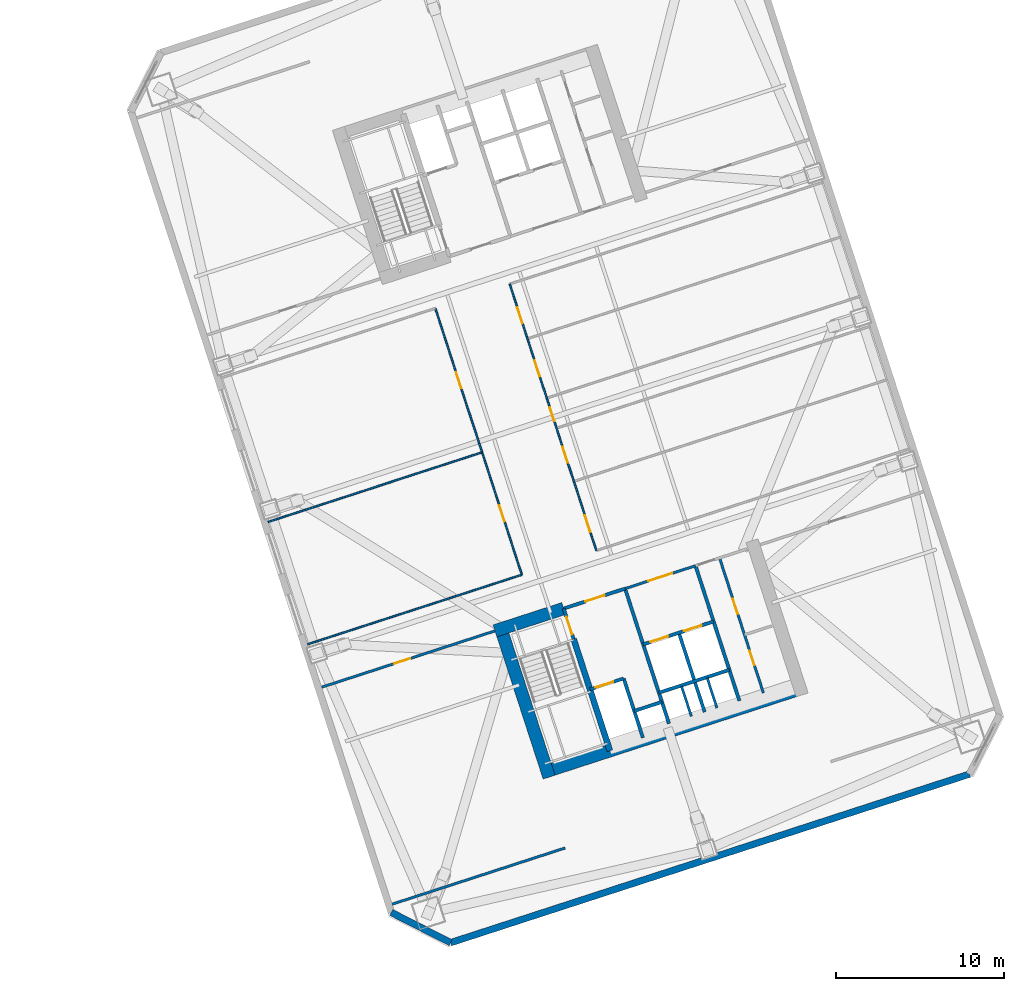
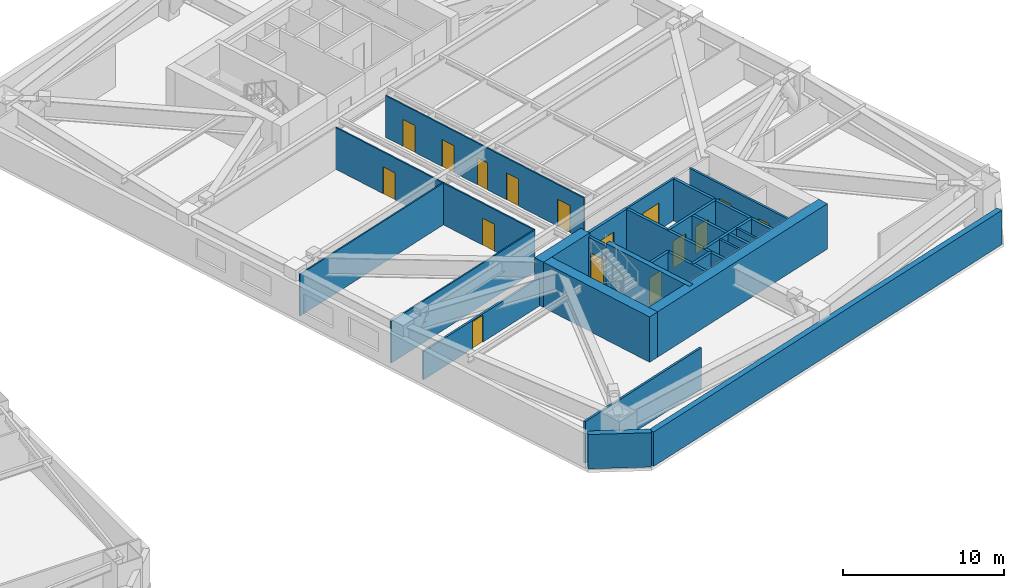
# One storey, part 14 of 18: 26 walls, 16 doors, 16 openings.
"""IFC4 building model written with IfcOpenShell, lengths in metres."""

from ifc_helpers import new_model, si_unit, direction, frame, frame_2d, origin, place, context, subcontext, project, spatial, rectangle, extrude, material, layer, layer_set, type_object, element, fill, save


model = new_model("IFC4")

# Units and contexts
model_context = context("Model", 3, precision=1e-05, world=origin(), true_north=direction((0.0, 1.0)))
body_context = subcontext(model_context, "Body", "Model", "MODEL_VIEW")
ifc_project = project(units=[si_unit("LENGTHUNIT", "METRE"), si_unit("AREAUNIT", "SQUARE_METRE"), si_unit("VOLUMEUNIT", "CUBIC_METRE"), si_unit("PLANEANGLEUNIT", "RADIAN"), si_unit("MASSUNIT", "GRAM", prefix="KILO")], contexts=[model_context])

# Site, building, storey
site_placement = place(None, origin())
site = spatial("IfcSite", under=ifc_project, at=site_placement, CompositionType="ELEMENT")
building_placement = place(site_placement, origin())
building = spatial("IfcBuilding", under=site, at=building_placement, Name="Qiaolan Cultural Towers", CompositionType="ELEMENT")
storey_placement = place(building_placement, frame((0.0, 0.0, 74.75)))
storey = spatial("IfcBuildingStorey", under=building, at=storey_placement, Name="L18", CompositionType="ELEMENT", Elevation=74.75)

# Walls
ifc_material_1 = material(Name="Concrete C50", Category="concrete")
ifc_layer_1 = layer(ifc_material_1, 0.35009765625)
ifc_layer_set_1 = layer_set([ifc_layer_1], Name="Concrete C50")
wall_type_1 = type_object("IfcWallType", Name="WL-CORE-350", PredefinedType="SHEAR", material=ifc_layer_set_1)
wall_1_placement = place(storey_placement, frame((90.486328125, 20.59423828125, 0.0), z_axis=(0.0, 0.0, 1.0), x_axis=(0.309020428229, -0.951055400562, 0.0)))
element("IfcWall", 1, at=wall_1_placement, inside=storey, type_object=wall_type_1, Name="L18 T2-CS Stair Core Dividing Web", PredefinedType="SHEAR", context=body_context, shape_type="SweptSolid", body=[
    extrude(rectangle(XDim=6.97998046875, YDim=0.35009765625, at=frame_2d((3.489990234375, 0.0))), origin(), (0.0, 0.0, 1.0), 3.449951171875),
])
ifc_material_2 = material(Name="Concrete C60", Category="concrete")
ifc_layer_2 = layer(ifc_material_2, 0.75)
ifc_layer_set_2 = layer_set([ifc_layer_2], Name="Concrete C60")
wall_type_2 = type_object("IfcWallType", Name="WL-CORE-750", PredefinedType="SHEAR", material=ifc_layer_set_2)
wall_2_placement = place(storey_placement, frame((88.55859375, 12.628662109375, 0.0), z_axis=(0.0, 0.0, 1.0), x_axis=(0.951056072937, 0.309018358888, 0.0)))
element("IfcWall", 2, at=wall_2_placement, inside=storey, type_object=wall_type_2, Name="L18 T2-CS Outer Core Shear Wall", PredefinedType="SHEAR", context=body_context, shape_type="SweptSolid", body=[
    extrude(rectangle(XDim=16.550048828125, YDim=0.75, at=frame_2d((8.27490234375, 0.0))), origin(), (0.0, 0.0, 1.0), 3.449951171875),
])
wall_3_placement = place(storey_placement, frame((86.05517578125, 21.54638671875, 0.0), z_axis=(0.0, 0.0, 1.0), x_axis=(0.309023585745, -0.951054374604, 0.0)))
element("IfcWall", 3, at=wall_3_placement, inside=storey, type_object=wall_type_2, Name="L18 T2-CS West Core Shear Wall", PredefinedType="SHEAR", context=body_context, shape_type="SweptSolid", body=[
    extrude(rectangle(XDim=9.6298828125, YDim=0.75, at=frame_2d((4.81494140625, 0.0))), origin(), (0.0, 0.0, 1.0), 3.449951171875),
])
wall_4_placement = place(storey_placement, frame((85.814453125, 21.073974609375, 0.0), z_axis=(0.0, 0.0, 1.0), x_axis=(0.95106580992, 0.308988390074, 0.0)))
element("IfcWall", 4, at=wall_4_placement, inside=storey, type_object=wall_type_2, Name="L18 T2-CS Stair Front Shear Wall", PredefinedType="SHEAR", context=body_context, shape_type="SweptSolid", body=[
    extrude(rectangle(XDim=4.295166015625, YDim=0.75, at=frame_2d((2.1474609375, 0.0))), origin(), (0.0, 0.0, 1.0), 3.449951171875),
])
ifc_material_3 = material(Name="Precast Concrete C50 Honed Stone Pier", Category="masonry")
ifc_layer_3 = layer(ifc_material_3, 0.39990234375)
ifc_layer_set_3 = layer_set([ifc_layer_3], Name="Precast Concrete C50 Honed Stone Pier")
wall_type_3 = type_object("IfcWallType", Name="WL-EXT-PIER-400", PredefinedType="SOLIDWALL", material=ifc_layer_set_3)
wall_5_placement = place(storey_placement, frame((113.997802734375, 12.566650390625, 0.0), z_axis=(0.0, 0.0, 1.0), x_axis=(-0.951055939317, -0.309018770125, 0.0)))
element("IfcWall", 5, at=wall_5_placement, inside=storey, type_object=wall_type_3, Name="L18 East Tower Precast Pier Facade Wall F7", PredefinedType="SOLIDWALL", context=body_context, shape_type="SweptSolid", body=[
    extrude(rectangle(XDim=32.39990234375, YDim=0.39990234375, at=frame_2d((16.199951171875, 0.0))), origin(), (0.0, 0.0, 1.0), 2.610107421875),
])
wall_6_placement = place(storey_placement, frame((83.18359375, 2.554443359375, 0.0), z_axis=(0.0, 0.0, 1.0), x_axis=(-0.890998089617, 0.454007053137, 0.0)))
element("IfcWall", 6, at=wall_6_placement, inside=storey, type_object=wall_type_3, Name="L18 East Tower Precast Pier Facade Wall F8", PredefinedType="SOLIDWALL", context=body_context, shape_type="SweptSolid", body=[
    extrude(rectangle(XDim=3.9599609375, YDim=0.39990234375, at=frame_2d((1.97998046875, 0.0))), origin(), (0.0, 0.0, 1.0), 2.610107421875),
])

# Wall, opening, door
ifc_material_4 = material(Name="Concrete C35 Fire Wall", Category="concrete")
ifc_layer_4 = layer(ifc_material_4, 0.199951171875)
ifc_layer_set_4 = layer_set([ifc_layer_4], Name="Concrete C35 Fire Wall")
wall_type_4 = type_object("IfcWallType", Name="WL-FIRE-200", PredefinedType="PARTITIONING", material=ifc_layer_set_4)
wall_7_placement = place(storey_placement, frame((89.8994140625, 22.401123046875, 0.0), z_axis=(0.0, 0.0, 1.0), x_axis=(0.308932062672, -0.951084108086, 0.0)))
wall_7 = element("IfcWall", 7, at=wall_7_placement, inside=storey, type_object=wall_type_4, Name="L18 T2-CS Smokeproof Stair Entry Wall", PredefinedType="PARTITIONING", context=body_context, shape_type="SweptSolid", body=[
    extrude(rectangle(XDim=1.89990234375, YDim=0.199951171875, at=frame_2d((0.949951171875, 0.0))), origin(), (0.0, 0.0, 1.0), 3.175048828125),
])
opening_1_placement = place(wall_7_placement, frame((0.52001953125, 0.0, 0.0)))
opening_1 = element("IfcOpeningElement", 8, at=opening_1_placement, cuts=wall_7, Name="Opening FD-04", PredefinedType="OPENING", context=body_context, shape_type="SweptSolid", body=[
    extrude(rectangle(XDim=1.10009765625, YDim=2.050048828125, at=frame_2d((0.550048828125, 1.02490234375))), frame((0.0, 0.10986328125, 0.0), z_axis=(0.0, -1.0, 0.0), x_axis=(1.0, 0.0, 0.0)), (0.0, 0.0, 1.0), 0.219970703125),
])
ifc_material_5 = material(Name="Galvanized Steel Command Fire Door", Category="steel")
door_type_1 = type_object("IfcDoorType", Name="DR-FD90-1100", OperationType="NOTDEFINED", PredefinedType="DOOR", material=ifc_material_5)
door_1_placement = place(opening_1_placement, origin())
door_1 = element("IfcDoor", 9, at=door_1_placement, inside=storey, type_object=door_type_1, Name="L18 ST-E1 Smokeproof Stair Fire Door", OperationType="SINGLE_SWING_LEFT", OverallHeight=2.050048828125, OverallWidth=1.10009765625, PredefinedType="DOOR", context=body_context, shape_type="SweptSolid", body=[
    extrude(rectangle(XDim=1.10009765625, YDim=2.050048828125, at=frame_2d((0.550048828125, 1.02490234375))), frame((0.0, 0.02490234375, 0.0), z_axis=(0.0, -1.0, 0.0), x_axis=(1.0, 0.0, 0.0)), (0.0, 0.0, 1.0), 0.050048828125),
])
fill(opening_1, door_1)

# Wall
wall_8_placement = place(storey_placement, frame((93.541748046875, 23.584716796875, 0.0), z_axis=(0.0, 0.0, 1.0), x_axis=(0.309042196757, -0.951048327176, 0.0)))
element("IfcWall", 10, at=wall_8_placement, inside=storey, type_object=wall_type_4, Name="L18 T2-CS Firefighting Zone Wall", PredefinedType="PARTITIONING", context=body_context, shape_type="SweptSolid", body=[
    extrude(rectangle(XDim=8.429931640625, YDim=0.199951171875, at=frame_2d((4.21484375, 0.0))), origin(), (0.0, 0.0, 1.0), 3.175048828125),
])

# Wall, opening, door
wall_9_placement = place(storey_placement, frame((89.8994140625, 22.401123046875, 0.0), z_axis=(0.0, 0.0, 1.0), x_axis=(0.951046716504, 0.309047153403, 0.0)))
wall_9 = element("IfcWall", 11, at=wall_9_placement, inside=storey, type_object=wall_type_4, Name="L18 T2-CS Firefighting Lobby Front Wall", PredefinedType="PARTITIONING", context=body_context, shape_type="SweptSolid", body=[
    extrude(rectangle(XDim=3.829833984375, YDim=0.199951171875, at=frame_2d((1.9150390625, 0.0))), origin(), (0.0, 0.0, 1.0), 3.175048828125),
])
opening_2_placement = place(wall_9_placement, frame((1.35009765625, 0.0, 0.0)))
opening_2 = element("IfcOpeningElement", 12, at=opening_2_placement, cuts=wall_9, Name="Opening FD-03", PredefinedType="OPENING", context=body_context, shape_type="SweptSolid", body=[
    extrude(rectangle(XDim=1.199951171875, YDim=2.050048828125, at=frame_2d((0.60009765625, 1.02490234375))), frame((0.0, 0.10986328125, 0.0), z_axis=(0.0, -1.0, 0.0), x_axis=(1.0, 0.0, 0.0)), (0.0, 0.0, 1.0), 0.219970703125),
])
ifc_material_6 = material(Name="Galvanized Steel Smokeproof Lobby Fire Door", Category="steel")
door_type_2 = type_object("IfcDoorType", Name="DR-FD90-1200", OperationType="NOTDEFINED", PredefinedType="DOOR", material=ifc_material_6)
door_2_placement = place(opening_2_placement, origin())
door_2 = element("IfcDoor", 13, at=door_2_placement, inside=storey, type_object=door_type_2, Name="L18 FFL-E1 Firefighting Lobby Fire Door", OperationType="SINGLE_SWING_LEFT", OverallHeight=2.050048828125, OverallWidth=1.199951171875, PredefinedType="DOOR", context=body_context, shape_type="SweptSolid", body=[
    extrude(rectangle(XDim=1.199951171875, YDim=2.050048828125, at=frame_2d((0.60009765625, 1.02490234375))), frame((0.0, 0.02490234375, 0.0), z_axis=(0.0, -1.0, 0.0), x_axis=(1.0, 0.0, 0.0)), (0.0, 0.0, 1.0), 0.050048828125),
])
fill(opening_2, door_2)

wall_10_placement = place(storey_placement, frame((91.459716796875, 17.598388671875, 0.0), z_axis=(0.0, 0.0, 1.0), x_axis=(0.951062257173, 0.308999325213, 0.0)))
wall_10 = element("IfcWall", 14, at=wall_10_placement, inside=storey, type_object=wall_type_4, Name="L18 T2-CS Firefighting Shaft Front Wall", PredefinedType="PARTITIONING", context=body_context, shape_type="SweptSolid", body=[
    extrude(rectangle(XDim=2.10009765625, YDim=0.199951171875, at=frame_2d((1.050048828125, 0.0))), origin(), (0.0, 0.0, 1.0), 3.175048828125),
])
opening_3_placement = place(wall_10_placement, frame((0.35009765625, 0.0, 0.0)))
opening_3 = element("IfcOpeningElement", 15, at=opening_3_placement, cuts=wall_10, Name="Opening LD-01", PredefinedType="OPENING", context=body_context, shape_type="SweptSolid", body=[
    extrude(rectangle(XDim=1.10009765625, YDim=2.050048828125, at=frame_2d((0.550048828125, 1.02490234375))), frame((0.0, 0.10986328125, 0.0), z_axis=(0.0, -1.0, 0.0), x_axis=(1.0, 0.0, 0.0)), (0.0, 0.0, 1.0), 0.219970703125),
])
ifc_material_7 = material(Name="Brushed Stainless Steel S30408 Centre-Parting Lift Landing Door", Category="steel")
door_type_3 = type_object("IfcDoorType", Name="DR-LIFT-1100", OperationType="NOTDEFINED", PredefinedType="DOOR", material=ifc_material_7)
door_3_placement = place(opening_3_placement, origin())
door_3 = element("IfcDoor", 16, at=door_3_placement, inside=storey, type_object=door_type_3, Name="L18 FFL-E1 Firefighting Lift Landing Door", OperationType="DOUBLE_DOOR_SLIDING", OverallHeight=2.050048828125, OverallWidth=1.10009765625, PredefinedType="DOOR", context=body_context, shape_type="SweptSolid", body=[
    extrude(rectangle(XDim=1.10009765625, YDim=2.050048828125, at=frame_2d((0.550048828125, 1.02490234375))), frame((0.0, 0.02490234375, 0.0), z_axis=(0.0, -1.0, 0.0), x_axis=(1.0, 0.0, 0.0)), (0.0, 0.0, 1.0), 0.050048828125),
])
fill(opening_3, door_3)

# Walls
wall_11_placement = place(storey_placement, frame((93.45703125, 18.247314453125, 0.0), z_axis=(0.0, 0.0, 1.0), x_axis=(0.3089935693, -0.951064127245, 0.0)))
element("IfcWall", 17, at=wall_11_placement, inside=storey, type_object=wall_type_4, Name="L18 T2-CS Firefighting Hoistway East Wall", PredefinedType="PARTITIONING", context=body_context, shape_type="SweptSolid", body=[
    extrude(rectangle(XDim=3.7001953125, YDim=0.199951171875, at=frame_2d((1.85009765625, 0.0))), origin(), (0.0, 0.0, 1.0), 3.175048828125),
])
wall_12_placement = place(storey_placement, frame((94.08447265625, 16.316650390625, 0.0), z_axis=(0.0, 0.0, 1.0), x_axis=(0.951041328149, 0.309063734775, 0.0)))
element("IfcWall", 18, at=wall_12_placement, inside=storey, type_object=wall_type_4, Name="L18 T2-CS Pressurization Shaft Front Wall", PredefinedType="PARTITIONING", context=body_context, shape_type="SweptSolid", body=[
    extrude(rectangle(XDim=1.72998046875, YDim=0.199951171875, at=frame_2d((0.864990234375, 0.0))), origin(), (0.0, 0.0, 1.0), 3.175048828125),
])
wall_13_placement = place(storey_placement, frame((97.7265625, 24.9443359375, 0.0), z_axis=(0.0, 0.0, 1.0), x_axis=(0.309016001439, -0.951056838919, 0.0)))
element("IfcWall", 19, at=wall_13_placement, inside=storey, type_object=wall_type_4, Name="L18 T2-CS Lift Core East Wall", PredefinedType="PARTITIONING", context=body_context, shape_type="SweptSolid", body=[
    extrude(rectangle(XDim=8.429931640625, YDim=0.199951171875, at=frame_2d((4.21484375, 0.0))), origin(), (0.0, 0.0, 1.0), 3.175048828125),
])

# Wall, openings, doors
wall_14_placement = place(storey_placement, frame((94.6171875, 20.275146484375, 0.0), z_axis=(0.0, 0.0, 1.0), x_axis=(0.951058531764, 0.30901079133, 0.0)))
wall_14 = element("IfcWall", 20, at=wall_14_placement, inside=storey, type_object=wall_type_4, Name="L18 T2-CS Passenger Lift Shaft Front Wall", PredefinedType="PARTITIONING", context=body_context, shape_type="SweptSolid", body=[
    extrude(rectangle(XDim=4.39990234375, YDim=0.199951171875, at=frame_2d((2.199951171875, 0.0))), origin(), (0.0, 0.0, 1.0), 3.175048828125),
])
opening_4_placement = place(wall_14_placement, frame((0.449951171875, 0.0, 0.0)))
opening_4 = element("IfcOpeningElement", 21, at=opening_4_placement, cuts=wall_14, Name="Opening LD-01", PredefinedType="OPENING", context=body_context, shape_type="SweptSolid", body=[
    extrude(rectangle(XDim=1.10009765625, YDim=2.050048828125, at=frame_2d((0.550048828125, 1.02490234375))), frame((0.0, 0.10986328125, 0.0), z_axis=(0.0, -1.0, 0.0), x_axis=(1.0, 0.0, 0.0)), (0.0, 0.0, 1.0), 0.219970703125),
])
opening_5_placement = place(wall_14_placement, frame((2.550048828125, 0.0, 0.0)))
opening_5 = element("IfcOpeningElement", 22, at=opening_5_placement, cuts=wall_14, Name="Opening LD-01", PredefinedType="OPENING", context=body_context, shape_type="SweptSolid", body=[
    extrude(rectangle(XDim=1.10009765625, YDim=2.050048828125, at=frame_2d((0.550048828125, 1.02490234375))), frame((0.0, 0.10986328125, 0.0), z_axis=(0.0, -1.0, 0.0), x_axis=(1.0, 0.0, 0.0)), (0.0, 0.0, 1.0), 0.219970703125),
])
door_4_placement = place(opening_4_placement, origin())
door_4 = element("IfcDoor", 23, at=door_4_placement, inside=storey, type_object=door_type_3, Name="L18 Passenger Lift 1 Landing Door", OperationType="DOUBLE_DOOR_SLIDING", OverallHeight=2.050048828125, OverallWidth=1.10009765625, PredefinedType="DOOR", context=body_context, shape_type="SweptSolid", body=[
    extrude(rectangle(XDim=1.10009765625, YDim=2.050048828125, at=frame_2d((0.550048828125, 1.02490234375))), frame((0.0, 0.02490234375, 0.0), z_axis=(0.0, -1.0, 0.0), x_axis=(1.0, 0.0, 0.0)), (0.0, 0.0, 1.0), 0.050048828125),
])
fill(opening_4, door_4)
door_5_placement = place(opening_5_placement, origin())
door_5 = element("IfcDoor", 24, at=door_5_placement, inside=storey, type_object=door_type_3, Name="L18 Passenger Lift 2 Landing Door", OperationType="DOUBLE_DOOR_SLIDING", OverallHeight=2.050048828125, OverallWidth=1.10009765625, PredefinedType="DOOR", context=body_context, shape_type="SweptSolid", body=[
    extrude(rectangle(XDim=1.10009765625, YDim=2.050048828125, at=frame_2d((0.550048828125, 1.02490234375))), frame((0.0, 0.02490234375, 0.0), z_axis=(0.0, -1.0, 0.0), x_axis=(1.0, 0.0, 0.0)), (0.0, 0.0, 1.0), 0.050048828125),
])
fill(opening_5, door_5)

# Walls
wall_15_placement = place(storey_placement, frame((96.738037109375, 20.964111328125, 0.0), z_axis=(0.0, 0.0, 1.0), x_axis=(0.309042578481, -0.951048203135, 0.0)))
element("IfcWall", 25, at=wall_15_placement, inside=storey, type_object=wall_type_4, Name="L18 T2-CS Lift Shaft Divider Wall", PredefinedType="PARTITIONING", context=body_context, shape_type="SweptSolid", body=[
    extrude(rectangle(XDim=4.9501953125, YDim=0.199951171875, at=frame_2d((2.47509765625, 0.0))), origin(), (0.0, 0.0, 1.0), 3.175048828125),
])
wall_16_placement = place(storey_placement, frame((95.550537109375, 17.40283203125, 0.0), z_axis=(0.0, 0.0, 1.0), x_axis=(0.951058531764, 0.30901079133, 0.0)))
element("IfcWall", 26, at=wall_16_placement, inside=storey, type_object=wall_type_4, Name="L18 T2-CS Passenger Lift Shaft Back Wall", PredefinedType="PARTITIONING", context=body_context, shape_type="SweptSolid", body=[
    extrude(rectangle(XDim=4.39990234375, YDim=0.199951171875, at=frame_2d((2.199951171875, 0.0))), origin(), (0.0, 0.0, 1.0), 3.175048828125),
])
ifc_material_8 = material(Name="Acoustic Double-Glazed Partition Frame", Category="glass")
ifc_layer_5 = layer(ifc_material_8, 0.10009765625)
ifc_layer_set_5 = layer_set([ifc_layer_5], Name="Acoustic Double-Glazed Partition Frame")
wall_type_5 = type_object("IfcWallType", Name="WL-GLAZED-100", PredefinedType="MOVABLE", material=ifc_layer_set_5)
wall_17_placement = place(storey_placement, frame((74.691162109375, 20.277587890625, 0.0), z_axis=(0.0, 0.0, 1.0), x_axis=(0.951052712421, 0.309028701251, 0.0)))
element("IfcWall", 27, at=wall_17_placement, inside=storey, type_object=wall_type_5, Name="L18 T2 South Corridor Left Wall", PredefinedType="MOVABLE", context=body_context, shape_type="SweptSolid", body=[
    extrude(rectangle(XDim=13.375244140625, YDim=0.10009765625, at=frame_2d((6.6875, 0.0))), origin(), (0.0, 0.0, 1.0), 3.175048828125),
])

# Wall, openings, doors
wall_18_placement = place(storey_placement, frame((87.41162109375, 24.410888671875, 0.0), z_axis=(0.0, 0.0, 1.0), x_axis=(-0.309022042254, 0.951054876125, 0.0)))
wall_18 = element("IfcWall", 28, at=wall_18_placement, inside=storey, type_object=wall_type_5, Name="L18 T2 West Spine Wall", PredefinedType="MOVABLE", context=body_context, shape_type="SweptSolid", body=[
    extrude(rectangle(XDim=16.639892578125, YDim=0.10009765625, at=frame_2d((8.31982421875, 0.0))), origin(), (0.0, 0.0, 1.0), 3.175048828125),
])
opening_6_placement = place(wall_18_placement, frame((3.320068359375, 0.0, 0.0)))
opening_6 = element("IfcOpeningElement", 29, at=opening_6_placement, cuts=wall_18, Name="Opening ID-04", PredefinedType="OPENING", context=body_context, shape_type="SweptSolid", body=[
    extrude(rectangle(XDim=1.0, YDim=2.050048828125, at=frame_2d((0.5, 1.02490234375))), frame((0.0, 0.06005859375, 0.0), z_axis=(0.0, -1.0, 0.0), x_axis=(1.0, 0.0, 0.0)), (0.0, 0.0, 1.0), 0.1201171875),
])
opening_7_placement = place(wall_18_placement, frame((11.639892578125, 0.0, 0.0)))
opening_7 = element("IfcOpeningElement", 30, at=opening_7_placement, cuts=wall_18, Name="Opening ID-04", PredefinedType="OPENING", context=body_context, shape_type="SweptSolid", body=[
    extrude(rectangle(XDim=1.0, YDim=2.050048828125, at=frame_2d((0.5, 1.02490234375))), frame((0.0, 0.06005859375, 0.0), z_axis=(0.0, -1.0, 0.0), x_axis=(1.0, 0.0, 0.0)), (0.0, 0.0, 1.0), 0.1201171875),
])
ifc_material_9 = material(Name="Oak Veneer Acoustic Office Door", Category="timber")
door_type_4 = type_object("IfcDoorType", Name="DR-INT-1000", OperationType="NOTDEFINED", PredefinedType="DOOR", material=ifc_material_9)
door_6_placement = place(opening_6_placement, origin())
door_6 = element("IfcDoor", 31, at=door_6_placement, inside=storey, type_object=door_type_4, Name="L18 T2 Open Design Atelier Door", OperationType="SINGLE_SWING_LEFT", OverallHeight=2.050048828125, OverallWidth=1.0, PredefinedType="DOOR", context=body_context, shape_type="SweptSolid", body=[
    extrude(rectangle(XDim=1.0, YDim=2.050048828125, at=frame_2d((0.5, 1.02490234375))), frame((0.0, 0.02490234375, 0.0), z_axis=(0.0, -1.0, 0.0), x_axis=(1.0, 0.0, 0.0)), (0.0, 0.0, 1.0), 0.050048828125),
])
fill(opening_6, door_6)
door_7_placement = place(opening_7_placement, origin())
door_7 = element("IfcDoor", 32, at=door_7_placement, inside=storey, type_object=door_type_4, Name="L18 T2 Cultural Media Hall Door", OperationType="SINGLE_SWING_RIGHT", OverallHeight=2.050048828125, OverallWidth=1.0, PredefinedType="DOOR", context=body_context, shape_type="SweptSolid", body=[
    extrude(rectangle(XDim=1.0, YDim=2.050048828125, at=frame_2d((0.5, 1.02490234375))), frame((0.0, 0.02490234375, 0.0), z_axis=(0.0, -1.0, 0.0), x_axis=(1.0, 0.0, 0.0)), (0.0, 0.0, 1.0), 0.050048828125),
])
fill(opening_7, door_7)

wall_19_placement = place(storey_placement, frame((91.833984375, 25.84765625, 0.0), z_axis=(0.0, 0.0, 1.0), x_axis=(-0.30901773025, 0.951056277195, 0.0)))
wall_19 = element("IfcWall", 33, at=wall_19_placement, inside=storey, type_object=wall_type_5, Name="L18 T2 East Spine Wall", PredefinedType="MOVABLE", context=body_context, shape_type="SweptSolid", body=[
    extrude(rectangle(XDim=16.64013671875, YDim=0.10009765625, at=frame_2d((8.320068359375, 0.0))), origin(), (0.0, 0.0, 1.0), 3.175048828125),
])
opening_8_placement = place(wall_19_placement, frame((1.159912109375, 0.0, 0.0)))
opening_8 = element("IfcOpeningElement", 34, at=opening_8_placement, cuts=wall_19, Name="Opening ID-07", PredefinedType="OPENING", context=body_context, shape_type="SweptSolid", body=[
    extrude(rectangle(XDim=1.050048828125, YDim=2.050048828125, at=frame_2d((0.52490234375, 1.02490234375))), frame((0.0, 0.06005859375, 0.0), z_axis=(0.0, -1.0, 0.0), x_axis=(1.0, 0.0, 0.0)), (0.0, 0.0, 1.0), 0.1201171875),
])
opening_9_placement = place(wall_19_placement, frame((5.47998046875, 0.0, 0.0)))
opening_9 = element("IfcOpeningElement", 35, at=opening_9_placement, cuts=wall_19, Name="Opening ID-04", PredefinedType="OPENING", context=body_context, shape_type="SweptSolid", body=[
    extrude(rectangle(XDim=1.0, YDim=2.050048828125, at=frame_2d((0.5, 1.02490234375))), frame((0.0, 0.06005859375, 0.0), z_axis=(0.0, -1.0, 0.0), x_axis=(1.0, 0.0, 0.0)), (0.0, 0.0, 1.0), 0.1201171875),
])
opening_10_placement = place(wall_19_placement, frame((8.080078125, 0.0, 0.0)))
opening_10 = element("IfcOpeningElement", 36, at=opening_10_placement, cuts=wall_19, Name="Opening ID-09", PredefinedType="OPENING", context=body_context, shape_type="SweptSolid", body=[
    extrude(rectangle(XDim=0.85009765625, YDim=2.050048828125, at=frame_2d((0.425048828125, 1.02490234375))), frame((0.0, 0.06005859375, 0.0), z_axis=(0.0, -1.0, 0.0), x_axis=(1.0, 0.0, 0.0)), (0.0, 0.0, 1.0), 0.1201171875),
])
opening_11_placement = place(wall_19_placement, frame((10.874267578125, 0.0, 0.0)))
opening_11 = element("IfcOpeningElement", 37, at=opening_11_placement, cuts=wall_19, Name="Opening ID-04", PredefinedType="OPENING", context=body_context, shape_type="SweptSolid", body=[
    extrude(rectangle(XDim=1.0, YDim=2.050048828125, at=frame_2d((0.5, 1.02490234375))), frame((0.0, 0.06005859375, 0.0), z_axis=(0.0, -1.0, 0.0), x_axis=(1.0, 0.0, 0.0)), (0.0, 0.0, 1.0), 0.1201171875),
])
opening_12_placement = place(wall_19_placement, frame((14.17431640625, 0.0, 0.0)))
opening_12 = element("IfcOpeningElement", 38, at=opening_12_placement, cuts=wall_19, Name="Opening ID-04", PredefinedType="OPENING", context=body_context, shape_type="SweptSolid", body=[
    extrude(rectangle(XDim=1.0, YDim=2.050048828125, at=frame_2d((0.5, 1.02490234375))), frame((0.0, 0.06005859375, 0.0), z_axis=(0.0, -1.0, 0.0), x_axis=(1.0, 0.0, 0.0)), (0.0, 0.0, 1.0), 0.1201171875),
])
door_8_placement = place(opening_9_placement, origin())
door_8 = element("IfcDoor", 39, at=door_8_placement, inside=storey, type_object=door_type_4, Name="L18 T2 Boutique Art Shop Door", OperationType="SINGLE_SWING_RIGHT", OverallHeight=2.050048828125, OverallWidth=1.0, PredefinedType="DOOR", context=body_context, shape_type="SweptSolid", body=[
    extrude(rectangle(XDim=1.0, YDim=2.050048828125, at=frame_2d((0.5, 1.02490234375))), frame((0.0, 0.02490234375, 0.0), z_axis=(0.0, -1.0, 0.0), x_axis=(1.0, 0.0, 0.0)), (0.0, 0.0, 1.0), 0.050048828125),
])
fill(opening_9, door_8)
door_9_placement = place(opening_11_placement, origin())
door_9 = element("IfcDoor", 40, at=door_9_placement, inside=storey, type_object=door_type_4, Name="L18 T2 Conference Room Door", OperationType="SINGLE_SWING_RIGHT", OverallHeight=2.050048828125, OverallWidth=1.0, PredefinedType="DOOR", context=body_context, shape_type="SweptSolid", body=[
    extrude(rectangle(XDim=1.0, YDim=2.050048828125, at=frame_2d((0.5, 1.02490234375))), frame((0.0, 0.02490234375, 0.0), z_axis=(0.0, -1.0, 0.0), x_axis=(1.0, 0.0, 0.0)), (0.0, 0.0, 1.0), 0.050048828125),
])
fill(opening_11, door_9)
door_10_placement = place(opening_12_placement, origin())
door_10 = element("IfcDoor", 41, at=door_10_placement, inside=storey, type_object=door_type_4, Name="L18 T2 Club Lounge Door", OperationType="SINGLE_SWING_LEFT", OverallHeight=2.050048828125, OverallWidth=1.0, PredefinedType="DOOR", context=body_context, shape_type="SweptSolid", body=[
    extrude(rectangle(XDim=1.0, YDim=2.050048828125, at=frame_2d((0.5, 1.02490234375))), frame((0.0, 0.02490234375, 0.0), z_axis=(0.0, -1.0, 0.0), x_axis=(1.0, 0.0, 0.0)), (0.0, 0.0, 1.0), 0.050048828125),
])
fill(opening_12, door_10)
ifc_material_10 = material(Name="Oak Veneer Consultation Door", Category="timber")
door_type_5 = type_object("IfcDoorType", Name="DR-INT-1050", OperationType="NOTDEFINED", PredefinedType="DOOR", material=ifc_material_10)
door_11_placement = place(opening_8_placement, origin())
door_11 = element("IfcDoor", 42, at=door_11_placement, inside=storey, type_object=door_type_5, Name="L18 T2 Boutique Art Shop Door", OperationType="SINGLE_SWING_RIGHT", OverallHeight=2.050048828125, OverallWidth=1.050048828125, PredefinedType="DOOR", context=body_context, shape_type="SweptSolid", body=[
    extrude(rectangle(XDim=1.050048828125, YDim=2.050048828125, at=frame_2d((0.52490234375, 1.02490234375))), frame((0.0, 0.02490234375, 0.0), z_axis=(0.0, -1.0, 0.0), x_axis=(1.0, 0.0, 0.0)), (0.0, 0.0, 1.0), 0.050048828125),
])
fill(opening_8, door_11)
ifc_material_11 = material(Name="Moisture-Resistant Laminate Utility Door", Category="timber")
door_type_6 = type_object("IfcDoorType", Name="DR-INT-850", OperationType="NOTDEFINED", PredefinedType="DOOR", material=ifc_material_11)
door_12_placement = place(opening_10_placement, origin())
door_12 = element("IfcDoor", 43, at=door_12_placement, inside=storey, type_object=door_type_6, Name="L18 T2 Wellness Care Room Door", OperationType="SINGLE_SWING_LEFT", OverallHeight=2.050048828125, OverallWidth=0.85009765625, PredefinedType="DOOR", context=body_context, shape_type="SweptSolid", body=[
    extrude(rectangle(XDim=0.85009765625, YDim=2.050048828125, at=frame_2d((0.425048828125, 1.02490234375))), frame((0.0, 0.02490234375, 0.0), z_axis=(0.0, -1.0, 0.0), x_axis=(1.0, 0.0, 0.0)), (0.0, 0.0, 1.0), 0.050048828125),
])
fill(opening_10, door_12)

# Wall
wall_20_placement = place(storey_placement, frame((72.330322265625, 27.543701171875, 0.0), z_axis=(0.0, 0.0, 1.0), x_axis=(0.951056333968, 0.309017555521, 0.0)))
element("IfcWall", 44, at=wall_20_placement, inside=storey, type_object=wall_type_5, Name="L18 T2 West Partition 1", PredefinedType="MOVABLE", context=body_context, shape_type="SweptSolid", body=[
    extrude(rectangle(XDim=13.374755859375, YDim=0.10009765625, at=frame_2d((6.6875, 0.0))), origin(), (0.0, 0.0, 1.0), 3.175048828125),
])

# Wall, opening, door
ifc_material_12 = material(Name="Autoclaved Aerated Concrete Block B06", Category="concrete")
ifc_layer_6 = layer(ifc_material_12, 0.14990234375)
ifc_layer_set_6 = layer_set([ifc_layer_6], Name="Autoclaved Aerated Concrete Block B06")
wall_type_6 = type_object("IfcWallType", Name="WL-PART-150", PredefinedType="PARTITIONING", material=ifc_layer_set_6)
wall_21_placement = place(storey_placement, frame((93.541748046875, 23.584716796875, 0.0), z_axis=(0.0, 0.0, 1.0), x_axis=(0.951063829732, 0.308994485023, 0.0)))
wall_21 = element("IfcWall", 45, at=wall_21_placement, inside=storey, type_object=wall_type_6, Name="L18 T2-CS Passenger Lift Lobby Front Wall", PredefinedType="PARTITIONING", context=body_context, shape_type="SweptSolid", body=[
    extrude(rectangle(XDim=4.400146484375, YDim=0.14990234375, at=frame_2d((2.2001953125, 0.0))), origin(), (0.0, 0.0, 1.0), 3.175048828125),
])
opening_13_placement = place(wall_21_placement, frame((1.449951171875, 0.0, 0.0)))
opening_13 = element("IfcOpeningElement", 46, at=opening_13_placement, cuts=wall_21, Name="Opening FD-05", PredefinedType="OPENING", context=body_context, shape_type="SweptSolid", body=[
    extrude(rectangle(XDim=1.5, YDim=2.050048828125, at=frame_2d((0.75, 1.02490234375))), frame((0.0, 0.0849609375, 0.0), z_axis=(0.0, -1.0, 0.0), x_axis=(1.0, 0.0, 0.0)), (0.0, 0.0, 1.0), 0.169921875),
])
ifc_material_13 = material(Name="Painted Steel Lift Lobby Fire Door", Category="steel")
door_type_7 = type_object("IfcDoorType", Name="DR-FD60-1500", OperationType="NOTDEFINED", PredefinedType="DOOR", material=ifc_material_13)
door_13_placement = place(opening_13_placement, origin())
door_13 = element("IfcDoor", 47, at=door_13_placement, inside=storey, type_object=door_type_7, Name="L18 Passenger Lift Lobby Entrance", OperationType="SINGLE_SWING_LEFT", OverallHeight=2.050048828125, OverallWidth=1.5, PredefinedType="DOOR", context=body_context, shape_type="SweptSolid", body=[
    extrude(rectangle(XDim=1.5, YDim=2.050048828125, at=frame_2d((0.75, 1.02490234375))), frame((0.0, 0.02490234375, 0.0), z_axis=(0.0, -1.0, 0.0), x_axis=(1.0, 0.0, 0.0)), (0.0, 0.0, 1.0), 0.050048828125),
])
fill(opening_13, door_13)

# Walls
wall_22_placement = place(storey_placement, frame((96.8974609375, 17.787841796875, 0.0), z_axis=(0.0, 0.0, 1.0), x_axis=(0.30897153969, -0.951071284217, 0.0)))
element("IfcWall", 48, at=wall_22_placement, inside=storey, type_object=wall_type_6, Name="L18 T2-CS Core Rear Split 1", PredefinedType="PARTITIONING", context=body_context, shape_type="SweptSolid", body=[
    extrude(rectangle(XDim=1.8798828125, YDim=0.14990234375, at=frame_2d((0.93994140625, 0.0))), origin(), (0.0, 0.0, 1.0), 3.175048828125),
])
wall_23_placement = place(storey_placement, frame((98.419189453125, 18.282470703125, 0.0), z_axis=(0.0, 0.0, 1.0), x_axis=(0.308933380006, -0.951083680187, 0.0)))
element("IfcWall", 49, at=wall_23_placement, inside=storey, type_object=wall_type_6, Name="L18 T2-CS Core Rear Split 2", PredefinedType="PARTITIONING", context=body_context, shape_type="SweptSolid", body=[
    extrude(rectangle(XDim=1.880126953125, YDim=0.14990234375, at=frame_2d((0.93994140625, 0.0))), origin(), (0.0, 0.0, 1.0), 3.175048828125),
])

# Wall, openings, doors
wall_24_placement = place(storey_placement, frame((99.153076171875, 25.407958984375, 0.0), z_axis=(0.0, 0.0, 1.0), x_axis=(0.309016001439, -0.951056838919, 0.0)))
wall_24 = element("IfcWall", 50, at=wall_24_placement, inside=storey, type_object=wall_type_6, Name="L18 T2-CS Washroom Split Wall", PredefinedType="PARTITIONING", context=body_context, shape_type="SweptSolid", body=[
    extrude(rectangle(XDim=8.429931640625, YDim=0.14990234375, at=frame_2d((4.21484375, 0.0))), origin(), (0.0, 0.0, 1.0), 3.175048828125),
])
opening_14_placement = place(wall_24_placement, frame((2.550048828125, 0.0, 0.0)))
opening_14 = element("IfcOpeningElement", 51, at=opening_14_placement, cuts=wall_24, Name="Opening ID-05", PredefinedType="OPENING", context=body_context, shape_type="SweptSolid", body=[
    extrude(rectangle(XDim=0.949951171875, YDim=2.050048828125, at=frame_2d((0.47509765625, 1.02490234375))), frame((0.0, 0.0849609375, 0.0), z_axis=(0.0, -1.0, 0.0), x_axis=(1.0, 0.0, 0.0)), (0.0, 0.0, 1.0), 0.169921875),
])
opening_15_placement = place(wall_24_placement, frame((5.800048828125, 0.0, 0.0)))
opening_15 = element("IfcOpeningElement", 52, at=opening_15_placement, cuts=wall_24, Name="Opening ID-06", PredefinedType="OPENING", context=body_context, shape_type="SweptSolid", body=[
    extrude(rectangle(XDim=0.89990234375, YDim=2.050048828125, at=frame_2d((0.449951171875, 1.02490234375))), frame((0.0, 0.0849609375, 0.0), z_axis=(0.0, -1.0, 0.0), x_axis=(1.0, 0.0, 0.0)), (0.0, 0.0, 1.0), 0.169921875),
])
ifc_material_14 = material(Name="Fire-Rated Laminate Core Service Door", Category="timber")
door_type_8 = type_object("IfcDoorType", Name="DR-INT-900", OperationType="NOTDEFINED", PredefinedType="DOOR", material=ifc_material_14)
door_14_placement = place(opening_15_placement, origin())
door_14 = element("IfcDoor", 53, at=door_14_placement, inside=storey, type_object=door_type_8, Name="L18 First-Aid Room Door", OperationType="SINGLE_SWING_RIGHT", OverallHeight=2.050048828125, OverallWidth=0.89990234375, PredefinedType="DOOR", context=body_context, shape_type="SweptSolid", body=[
    extrude(rectangle(XDim=0.89990234375, YDim=2.050048828125, at=frame_2d((0.449951171875, 1.02490234375))), frame((0.0, 0.02490234375, 0.0), z_axis=(0.0, -1.0, 0.0), x_axis=(1.0, 0.0, 0.0)), (0.0, 0.0, 1.0), 0.050048828125),
])
fill(opening_15, door_14)
ifc_material_15 = material(Name="Fire-Rated Laminate Accessible Core Door", Category="timber")
door_type_9 = type_object("IfcDoorType", Name="DR-INT-950", OperationType="NOTDEFINED", PredefinedType="DOOR", material=ifc_material_15)
door_15_placement = place(opening_14_placement, origin())
door_15 = element("IfcDoor", 54, at=door_15_placement, inside=storey, type_object=door_type_9, Name="L18 Accessible Washroom Door", OperationType="SINGLE_SWING_LEFT", OverallHeight=2.050048828125, OverallWidth=0.949951171875, PredefinedType="DOOR", context=body_context, shape_type="SweptSolid", body=[
    extrude(rectangle(XDim=0.949951171875, YDim=2.050048828125, at=frame_2d((0.47509765625, 1.02490234375))), frame((0.0, 0.02490234375, 0.0), z_axis=(0.0, -1.0, 0.0), x_axis=(1.0, 0.0, 0.0)), (0.0, 0.0, 1.0), 0.050048828125),
])
fill(opening_14, door_15)

# Wall
wall_25_placement = place(storey_placement, frame((79.70654296875, 4.842041015625, 0.0), z_axis=(0.0, 0.0, 1.0), x_axis=(0.951056658866, 0.309016555588, 0.0)))
element("IfcWall", 55, at=wall_25_placement, inside=storey, type_object=wall_type_6, Name="L18 T2 Flank Wall FLK-SW", PredefinedType="PARTITIONING", context=body_context, shape_type="SweptSolid", body=[
    extrude(rectangle(XDim=10.800048828125, YDim=0.14990234375, at=frame_2d((5.39990234375, 0.0))), origin(), (0.0, 0.0, 1.0), 3.175048828125),
])

# Wall, opening, door
wall_26_placement = place(storey_placement, frame((75.519287109375, 17.728759765625, 0.0), z_axis=(0.0, 0.0, 1.0), x_axis=(0.951056658866, 0.309016555588, 0.0)))
wall_26 = element("IfcWall", 56, at=wall_26_placement, inside=storey, type_object=wall_type_6, Name="L18 T2 Flank Front FLK-SW", PredefinedType="PARTITIONING", context=body_context, shape_type="SweptSolid", body=[
    extrude(rectangle(XDim=10.800048828125, YDim=0.14990234375, at=frame_2d((5.39990234375, 0.0))), origin(), (0.0, 0.0, 1.0), 2.14990234375),
])
opening_16_placement = place(wall_26_placement, frame((4.535888671875, 0.0, 0.0)))
opening_16 = element("IfcOpeningElement", 57, at=opening_16_placement, cuts=wall_26, Name="Opening ID-04", PredefinedType="OPENING", context=body_context, shape_type="SweptSolid", body=[
    extrude(rectangle(XDim=1.0, YDim=2.050048828125, at=frame_2d((0.5, 1.02490234375))), frame((0.0, 0.0849609375, 0.0), z_axis=(0.0, -1.0, 0.0), x_axis=(1.0, 0.0, 0.0)), (0.0, 0.0, 1.0), 0.169921875),
])
door_16_placement = place(opening_16_placement, origin())
door_16 = element("IfcDoor", 58, at=door_16_placement, inside=storey, type_object=door_type_4, Name="L18 T2 Corner Studio Door", OperationType="SINGLE_SWING_LEFT", OverallHeight=2.050048828125, OverallWidth=1.0, PredefinedType="DOOR", context=body_context, shape_type="SweptSolid", body=[
    extrude(rectangle(XDim=1.0, YDim=2.050048828125, at=frame_2d((0.5, 1.02490234375))), frame((0.0, 0.02490234375, 0.0), z_axis=(0.0, -1.0, 0.0), x_axis=(1.0, 0.0, 0.0)), (0.0, 0.0, 1.0), 0.050048828125),
])
fill(opening_16, door_16)

save(model, "model.ifc")
